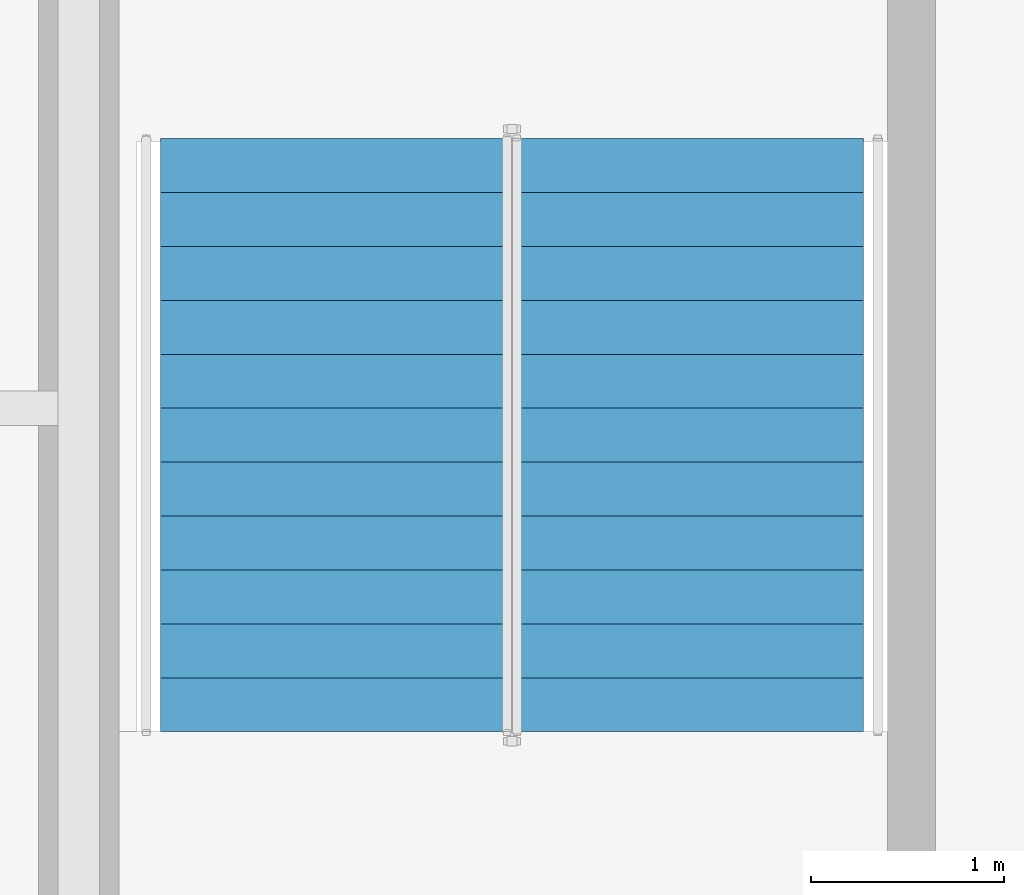
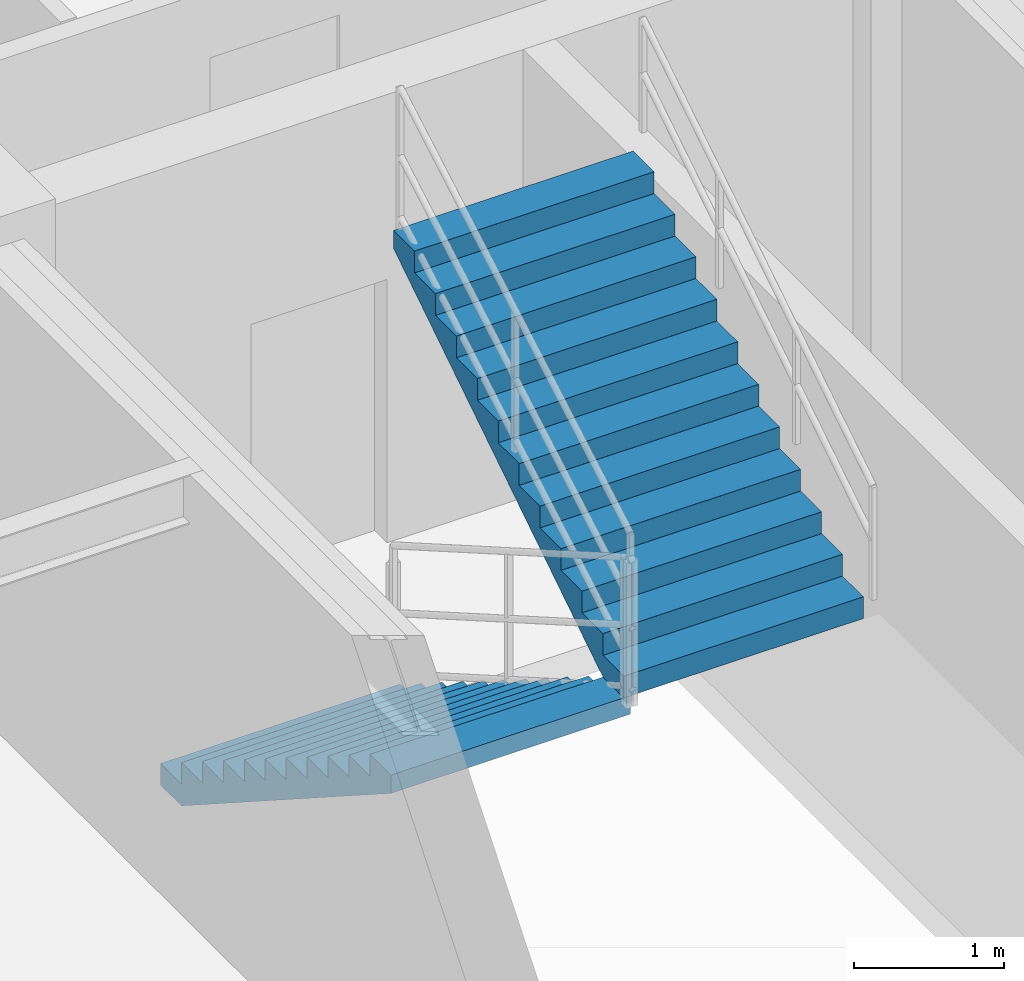
# One storey, part 7 of 10: 2 stair flights, 1 element without a shape of its own.
"""IFC4 building model written with IfcOpenShell, lengths in metres."""

from ifc_helpers import new_model, entity, si_unit, converted_unit, direction, frame, origin_with_axes, place, context, subcontext, project, spatial, polyline, outline, extrude, material, type_object, element, aggregate, save


model = new_model("IFC4")

# Units and contexts
model_context = context("Model", 3, precision=1e-05, world=origin_with_axes(), true_north=direction((0.0, 1.0)))
body_context = subcontext(model_context, "Body", "Model", "MODEL_VIEW")
ifc_project = project(units=[si_unit("LENGTHUNIT", "METRE"), si_unit("AREAUNIT", "SQUARE_METRE"), si_unit("VOLUMEUNIT", "CUBIC_METRE"), converted_unit("PLANEANGLEUNIT", "DEGREE", entity("IfcPlaneAngleMeasure", 0.017453292519943295), si_unit("PLANEANGLEUNIT", "RADIAN"), dimensions=[0, 0, 0, 0, 0, 0, 0]), si_unit("MASSUNIT", "GRAM", prefix="KILO"), si_unit("THERMODYNAMICTEMPERATUREUNIT", "KELVIN")], contexts=[model_context])

# Site, building, storey
site_placement = place(None, origin_with_axes())
site = spatial("IfcSite", under=ifc_project, at=site_placement, CompositionType="ELEMENT")
building_placement = place(site_placement, origin_with_axes())
building = spatial("IfcBuilding", under=site, at=building_placement, Name="Varnlund Millrace Tower", CompositionType="ELEMENT")
storey_placement = place(building_placement, frame((0.0, 0.0, 232.5), z_axis=(0.0, 0.0, 1.0), x_axis=(1.0, 0.0, 0.0)))
storey = spatial("IfcBuildingStorey", under=building, at=storey_placement, Name="L57", CompositionType="ELEMENT", Elevation=232.5)

# Stair, stair flights
ifc_material_1 = material(Name="Concrete C50/60", Category="concrete")
stair_type = type_object("IfcStairType", Name="Type-Stair-Dogleg-185-390", PredefinedType="HALF_TURN_STAIR", material=ifc_material_1)
stair_placement = place(storey_placement, origin_with_axes())
stair = element("IfcStair", 1, at=stair_placement, inside=storey, type_object=stair_type, Name="Type-Stair-Dogleg-185-390", PredefinedType="HALF_TURN_STAIR")
ifc_material_2 = material(Name="Precast concrete C50/60", Category="concrete")
stair_flight_type = type_object("IfcStairFlightType", Name="Type-Dogleg-Run-185-390", PredefinedType="STRAIGHT", material=ifc_material_2)
stair_flight_1_placement = place(storey_placement, frame((13.675, 35.9, 0.0), z_axis=(-1.0, 0.0, 0.0), x_axis=(0.0, -1.0, 0.0)))
stair_flight_1 = element("IfcStairFlight", 2, at=stair_flight_1_placement, type_object=stair_flight_type, Name="ST-A2 flight 1", NumberOfRisers=11, NumberOfTreads=11, PredefinedType="STRAIGHT", RiserHeight=0.177273, TreadLength=0.28, context=body_context, shape_type="SweptSolid", body=[
    extrude(outline(polyline([(0.0, 0.0), (0.0, 0.177273), (0.28, 0.177273), (0.28, 0.354545), (0.56, 0.354545), (0.56, 0.531818), (0.84, 0.531818), (0.84, 0.709091), (1.12, 0.709091), (1.12, 0.886364), (1.4, 0.886364), (1.4, 1.063636), (1.68, 1.063636), (1.68, 1.240909), (1.96, 1.240909), (1.96, 1.418182), (2.24, 1.418182), (2.24, 1.595454), (2.52, 1.595454), (2.52, 1.772727), (2.8, 1.772727), (2.8, 1.95), (3.08, 1.95), (3.08, 1.8), (0.28, 0.0), (0.0, 0.0)])), origin_with_axes(), (0.0, 0.0, 1.0), 1.85),
])
stair_flight_2_placement = place(storey_placement, frame((13.625, 32.82, 1.95), z_axis=(1.0, 0.0, 0.0), x_axis=(0.0, 1.0, 0.0)))
stair_flight_2 = element("IfcStairFlight", 3, at=stair_flight_2_placement, type_object=stair_flight_type, Name="ST-A2 flight 2", NumberOfRisers=11, NumberOfTreads=11, PredefinedType="STRAIGHT", RiserHeight=0.177273, TreadLength=0.28, context=body_context, shape_type="SweptSolid", body=[
    extrude(outline(polyline([(0.0, 0.0), (0.0, 0.177273), (0.28, 0.177273), (0.28, 0.354545), (0.56, 0.354545), (0.56, 0.531818), (0.84, 0.531818), (0.84, 0.709091), (1.12, 0.709091), (1.12, 0.886364), (1.4, 0.886364), (1.4, 1.063636), (1.68, 1.063636), (1.68, 1.240909), (1.96, 1.240909), (1.96, 1.418182), (2.24, 1.418182), (2.24, 1.595454), (2.52, 1.595454), (2.52, 1.772727), (2.8, 1.772727), (2.8, 1.95), (3.08, 1.95), (3.08, 1.8), (0.28, 0.0), (0.0, 0.0)])), origin_with_axes(), (0.0, 0.0, 1.0), 1.85),
])
aggregate(stair, [stair_flight_1, stair_flight_2])

save(model, "model.ifc")
